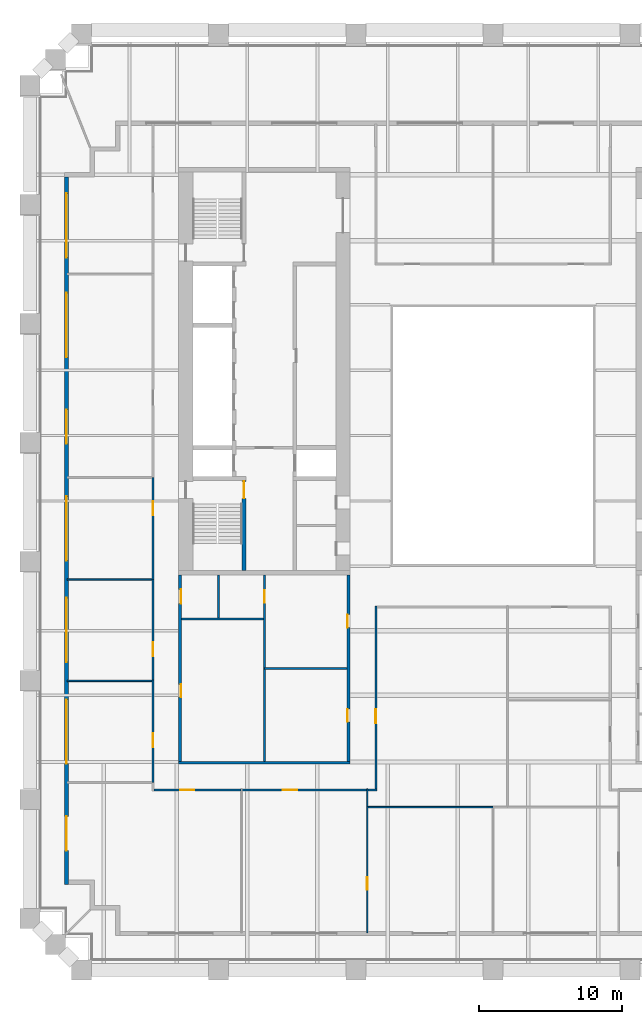
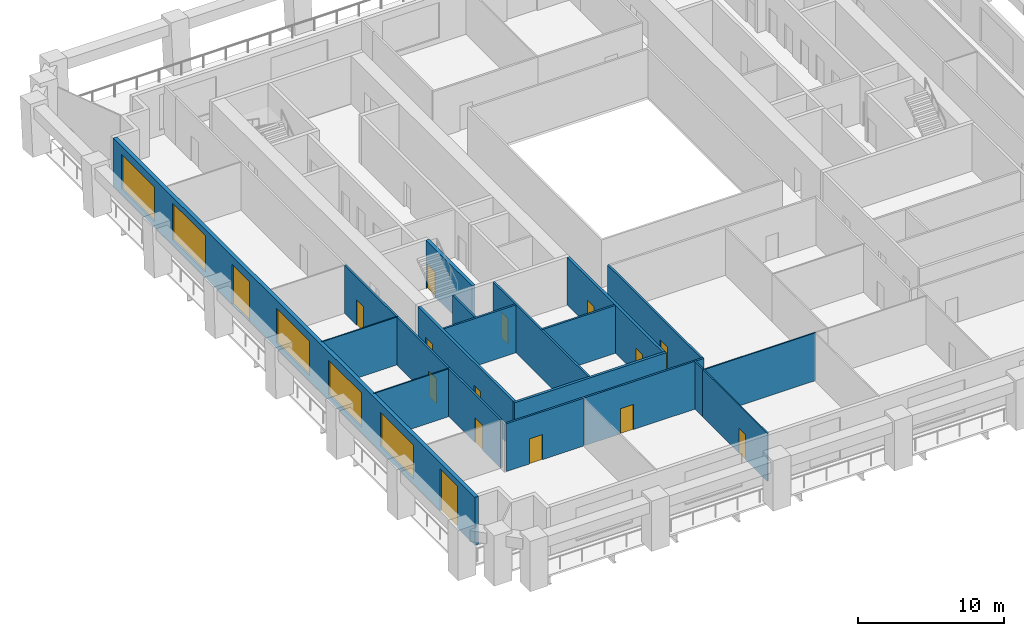
# One storey, part 3 of 10: 21 walls, 15 doors, 5 windows, 20 openings.
"""IFC4 building model written with IfcOpenShell, lengths in metres."""

from ifc_helpers import new_model, si_unit, direction, frame, frame_2d, origin, place, context, subcontext, project, spatial, rectangle, extrude, material, layer, layer_set, type_object, element, fill, save


model = new_model("IFC4")

# Units and contexts
model_context = context("Model", 3, precision=1e-05, world=origin(), true_north=direction((0.0, 1.0)))
body_context = subcontext(model_context, "Body", "Model", "MODEL_VIEW")
ifc_project = project(units=[si_unit("LENGTHUNIT", "METRE"), si_unit("AREAUNIT", "SQUARE_METRE"), si_unit("VOLUMEUNIT", "CUBIC_METRE"), si_unit("PLANEANGLEUNIT", "RADIAN"), si_unit("MASSUNIT", "GRAM", prefix="KILO")], contexts=[model_context])

# Site, building, storey
site_placement = place(None, origin())
site = spatial("IfcSite", under=ifc_project, at=site_placement, CompositionType="ELEMENT")
building_placement = place(site_placement, origin())
building = spatial("IfcBuilding", under=site, at=building_placement, Name="Ogive Exchange Tower", CompositionType="ELEMENT")
storey_placement = place(building_placement, frame((0.0, 0.0, 73.199951171875)))
storey = spatial("IfcBuildingStorey", under=building, at=storey_placement, Name="L15", CompositionType="ELEMENT", Elevation=73.199951171875)

# Wall, opening, door
ifc_material_1 = material(Name="Gypsum board partition")
ifc_layer_1 = layer(ifc_material_1, 0.14990234375)
ifc_layer_set_1 = layer_set([ifc_layer_1], Name="Core room partition 150 gypsum")
wall_type_1 = type_object("IfcWallType", Name="Core room partition 150 gypsum", PredefinedType="PARTITIONING", material=ifc_layer_set_1)
wall_1_placement = place(storey_placement, frame((-16.0, -15.800048828125, 0.0), z_axis=(0.0, 0.0, 1.0), x_axis=(0.0, 1.0, 0.0)))
wall_1 = element("IfcWall", 1, at=wall_1_placement, inside=storey, type_object=wall_type_1, Name="W annex S column wall", PredefinedType="PARTITIONING", context=body_context, shape_type="SweptSolid", body=[
    extrude(rectangle(XDim=13.050048828125, YDim=0.14990234375, at=frame_2d((6.52490234375, 0.0))), origin(), (0.0, 0.0, 1.0), 4.0),
])
opening_1_placement = place(wall_1_placement, frame((11.08740234375, 0.0, 0.0)))
opening_1 = element("IfcOpeningElement", 2, at=opening_1_placement, cuts=wall_1, Name="Opening L15-C20", PredefinedType="OPENING", context=body_context, shape_type="SweptSolid", body=[
    extrude(rectangle(XDim=0.89990234375, YDim=2.10009765625, at=frame_2d((0.449951171875, 1.050048828125))), frame((0.0, 0.0849609375, 0.0), z_axis=(0.0, -1.0, 0.0), x_axis=(1.0, 0.0, 0.0)), (0.0, 0.0, 1.0), 0.169921875),
])
ifc_material_2 = material(Name="Steel fire door", Category="steel")
door_type_1 = type_object("IfcDoorType", Name="Riser door FD60 900 x 2100", OperationType="NOTDEFINED", PredefinedType="DOOR", material=ifc_material_2)
door_1_placement = place(opening_1_placement, frame((0.89990234375, 0.0, 0.0), z_axis=(0.0, 0.0, 1.0), x_axis=(-1.0, 0.0, 0.0)))
door_1 = element("IfcDoor", 3, at=door_1_placement, inside=storey, type_object=door_type_1, Name="Riser door", ObjectType="CD2", OperationType="SINGLE_SWING_RIGHT", OverallHeight=2.10009765625, OverallWidth=0.89990234375, PredefinedType="DOOR", context=body_context, shape_type="SweptSolid", body=[
    extrude(rectangle(XDim=0.89990234375, YDim=2.10009765625, at=frame_2d((0.449951171875, 1.050048828125))), frame((0.0, 0.02490234375, 0.0), z_axis=(0.0, -1.0, 0.0), x_axis=(1.0, 0.0, 0.0)), (0.0, 0.0, 1.0), 0.050048828125),
])
fill(opening_1, door_1)

# Walls
wall_2_placement = place(storey_placement, frame((-16.0, -9.300048828125, 0.0), z_axis=(0.0, 0.0, 1.0), x_axis=(1.0, 0.0, 0.0)))
element("IfcWall", 4, at=wall_2_placement, inside=storey, type_object=wall_type_1, Name="W annex S cross wall", PredefinedType="PARTITIONING", context=body_context, shape_type="SweptSolid", body=[
    extrude(rectangle(XDim=5.800048828125, YDim=0.14990234375, at=frame_2d((2.89990234375, 0.0))), origin(), (0.0, 0.0, 1.0), 4.0),
])
wall_3_placement = place(storey_placement, frame((-21.800048828125, -5.85009765625, 0.0), z_axis=(0.0, 0.0, 1.0), x_axis=(1.0, 0.0, 0.0)))
element("IfcWall", 5, at=wall_3_placement, inside=storey, type_object=wall_type_1, Name="W annex S wc strip wall 00", PredefinedType="PARTITIONING", context=body_context, shape_type="SweptSolid", body=[
    extrude(rectangle(XDim=5.72509765625, YDim=0.14990234375, at=frame_2d((2.862548828125, 0.0))), origin(), (0.0, 0.0, 1.0), 4.0),
])
wall_4_placement = place(storey_placement, frame((-19.199951171875, -5.77490234375, 0.0), z_axis=(0.0, 0.0, 1.0), x_axis=(0.0, 1.0, 0.0)))
element("IfcWall", 6, at=wall_4_placement, inside=storey, type_object=wall_type_1, Name="W annex S wc partition 00", PredefinedType="PARTITIONING", context=body_context, shape_type="SweptSolid", body=[
    extrude(rectangle(XDim=3.02490234375, YDim=0.14990234375, at=frame_2d((1.512451171875, 0.0))), origin(), (0.0, 0.0, 1.0), 4.0),
])

# Wall, opening, door
ifc_material_3 = material(Name="Fire partition EI 60 150")
ifc_layer_2 = layer(ifc_material_3, 0.14990234375)
ifc_layer_set_2 = layer_set([ifc_layer_2], Name="Fire partition EI 60 150")
wall_type_2 = type_object("IfcWallType", Name="Fire partition EI 60 150", PredefinedType="PARTITIONING", material=ifc_layer_set_2)
wall_5_placement = place(storey_placement, frame((-23.800048828125, -17.2900390625, 0.0), z_axis=(0.0, 0.0, 1.0), x_axis=(0.0, 1.0, 0.0)))
wall_5 = element("IfcWall", 7, at=wall_5_placement, inside=storey, type_object=wall_type_2, Name="L15-PWL-003", PredefinedType="PARTITIONING", context=body_context, shape_type="SweptSolid", body=[
    extrude(rectangle(XDim=7.169921875, YDim=0.14990234375, at=frame_2d((3.5849609375, 0.0))), origin(), (0.0, 0.0, 1.0), 4.0),
])
opening_2_placement = place(wall_5_placement, frame((2.469970703125, 0.0, 0.0)))
opening_2 = element("IfcOpeningElement", 8, at=opening_2_placement, cuts=wall_5, Name="Opening L15-I17", PredefinedType="OPENING", context=body_context, shape_type="SweptSolid", body=[
    extrude(rectangle(XDim=1.0, YDim=2.10009765625, at=frame_2d((0.5, 1.050048828125))), frame((0.0, 0.0849609375, 0.0), z_axis=(0.0, -1.0, 0.0), x_axis=(1.0, 0.0, 0.0)), (0.0, 0.0, 1.0), 0.169921875),
])
ifc_material_4 = material(Name="Fire door FD 30S 1000 x 2100")
door_type_2 = type_object("IfcDoorType", Name="Fire door FD 30S 1000 x 2100", OperationType="NOTDEFINED", PredefinedType="DOOR", material=ifc_material_4)
door_2_placement = place(opening_2_placement, origin())
door_2 = element("IfcDoor", 9, at=door_2_placement, inside=storey, type_object=door_type_2, Name="L15-IDR-017", ObjectType="DT3", OperationType="SINGLE_SWING_RIGHT", OverallHeight=2.10009765625, OverallWidth=1.0, PredefinedType="DOOR", context=body_context, shape_type="SweptSolid", body=[
    extrude(rectangle(XDim=1.0, YDim=2.10009765625, at=frame_2d((0.5, 1.050048828125))), frame((0.0, 0.02490234375, 0.0), z_axis=(0.0, -1.0, 0.0), x_axis=(1.0, 0.0, 0.0)), (0.0, 0.0, 1.0), 0.050048828125),
])
fill(opening_2, door_2)

wall_6_placement = place(storey_placement, frame((-23.800048828125, -10.1201171875, 0.0), z_axis=(0.0, 0.0, 1.0), x_axis=(0.0, 1.0, 0.0)))
wall_6 = element("IfcWall", 10, at=wall_6_placement, inside=storey, type_object=wall_type_2, Name="L15-PWL-005", PredefinedType="PARTITIONING", context=body_context, shape_type="SweptSolid", body=[
    extrude(rectangle(XDim=7.06005859375, YDim=0.14990234375, at=frame_2d((3.530029296875, 0.0))), origin(), (0.0, 0.0, 1.0), 4.0),
])
opening_3_placement = place(wall_6_placement, frame((1.659912109375, 0.0, 0.0)))
opening_3 = element("IfcOpeningElement", 11, at=opening_3_placement, cuts=wall_6, Name="Opening L15-I15", PredefinedType="OPENING", context=body_context, shape_type="SweptSolid", body=[
    extrude(rectangle(XDim=1.0, YDim=2.10009765625, at=frame_2d((0.5, 1.050048828125))), frame((0.0, 0.0849609375, 0.0), z_axis=(0.0, -1.0, 0.0), x_axis=(1.0, 0.0, 0.0)), (0.0, 0.0, 1.0), 0.169921875),
])
door_3_placement = place(opening_3_placement, origin())
door_3 = element("IfcDoor", 12, at=door_3_placement, inside=storey, type_object=door_type_2, Name="L15-IDR-015", ObjectType="DT3", OperationType="SINGLE_SWING_RIGHT", OverallHeight=2.10009765625, OverallWidth=1.0, PredefinedType="DOOR", context=body_context, shape_type="SweptSolid", body=[
    extrude(rectangle(XDim=1.0, YDim=2.10009765625, at=frame_2d((0.5, 1.050048828125))), frame((0.0, 0.02490234375, 0.0), z_axis=(0.0, -1.0, 0.0), x_axis=(1.0, 0.0, 0.0)), (0.0, 0.0, 1.0), 0.050048828125),
])
fill(opening_3, door_3)

wall_7_placement = place(storey_placement, frame((-23.800048828125, -3.06005859375, 0.0), z_axis=(0.0, 0.0, 1.0), x_axis=(0.0, 1.0, 0.0)))
wall_7 = element("IfcWall", 13, at=wall_7_placement, inside=storey, type_object=wall_type_2, Name="L15-PWL-007", PredefinedType="PARTITIONING", context=body_context, shape_type="SweptSolid", body=[
    extrude(rectangle(XDim=7.1201171875, YDim=0.14990234375, at=frame_2d((3.56005859375, 0.0))), origin(), (0.0, 0.0, 1.0), 4.0),
])
opening_4_placement = place(wall_7_placement, frame((4.469970703125, 0.0, 0.0)))
opening_4 = element("IfcOpeningElement", 14, at=opening_4_placement, cuts=wall_7, Name="Opening L15-I14", PredefinedType="OPENING", context=body_context, shape_type="SweptSolid", body=[
    extrude(rectangle(XDim=1.0, YDim=2.10009765625, at=frame_2d((0.5, 1.050048828125))), frame((0.0, 0.0849609375, 0.0), z_axis=(0.0, -1.0, 0.0), x_axis=(1.0, 0.0, 0.0)), (0.0, 0.0, 1.0), 0.169921875),
])
door_4_placement = place(opening_4_placement, origin())
door_4 = element("IfcDoor", 15, at=door_4_placement, inside=storey, type_object=door_type_2, Name="L15-IDR-014", ObjectType="DT3", OperationType="SINGLE_SWING_LEFT", OverallHeight=2.10009765625, OverallWidth=1.0, PredefinedType="DOOR", context=body_context, shape_type="SweptSolid", body=[
    extrude(rectangle(XDim=1.0, YDim=2.10009765625, at=frame_2d((0.5, 1.050048828125))), frame((0.0, 0.02490234375, 0.0), z_axis=(0.0, -1.0, 0.0), x_axis=(1.0, 0.0, 0.0)), (0.0, 0.0, 1.0), 0.050048828125),
])
fill(opening_4, door_4)

wall_8_placement = place(storey_placement, frame((-17.64990234375, -17.800048828125, 0.0), z_axis=(0.0, 0.0, 1.0), x_axis=(-1.0, 0.0, 0.0)))
wall_8 = element("IfcWall", 16, at=wall_8_placement, inside=storey, type_object=wall_type_2, Name="L15-PWL-014", PredefinedType="PARTITIONING", context=body_context, shape_type="SweptSolid", body=[
    extrude(rectangle(XDim=6.0751953125, YDim=0.14990234375, at=frame_2d((3.03759765625, 0.0))), origin(), (0.0, 0.0, 1.0), 4.0),
])
opening_5_placement = place(wall_8_placement, frame((3.25, 0.0, 0.0)))
opening_5 = element("IfcOpeningElement", 17, at=opening_5_placement, cuts=wall_8, Name="Opening L15-I18", PredefinedType="OPENING", context=body_context, shape_type="SweptSolid", body=[
    extrude(rectangle(XDim=1.0, YDim=2.10009765625, at=frame_2d((0.5, 1.050048828125))), frame((0.0, 0.0849609375, 0.0), z_axis=(0.0, -1.0, 0.0), x_axis=(1.0, 0.0, 0.0)), (0.0, 0.0, 1.0), 0.169921875),
])
door_5_placement = place(opening_5_placement, origin())
door_5 = element("IfcDoor", 18, at=door_5_placement, inside=storey, type_object=door_type_2, Name="L15-IDR-018", ObjectType="DT3", OperationType="SINGLE_SWING_RIGHT", OverallHeight=2.10009765625, OverallWidth=1.0, PredefinedType="DOOR", context=body_context, shape_type="SweptSolid", body=[
    extrude(rectangle(XDim=1.0, YDim=2.10009765625, at=frame_2d((0.5, 1.050048828125))), frame((0.0, 0.02490234375, 0.0), z_axis=(0.0, -1.0, 0.0), x_axis=(1.0, 0.0, 0.0)), (0.0, 0.0, 1.0), 0.050048828125),
])
fill(opening_5, door_5)

wall_9_placement = place(storey_placement, frame((-8.85009765625, -17.800048828125, 0.0), z_axis=(0.0, 0.0, 1.0), x_axis=(-1.0, 0.0, 0.0)))
wall_9 = element("IfcWall", 19, at=wall_9_placement, inside=storey, type_object=wall_type_2, Name="L15-PWL-018", PredefinedType="PARTITIONING", context=body_context, shape_type="SweptSolid", body=[
    extrude(rectangle(XDim=8.699951171875, YDim=0.14990234375, at=frame_2d((4.35009765625, 0.0))), origin(), (0.0, 0.0, 1.0), 4.0),
])
opening_6_placement = place(wall_9_placement, frame((4.85009765625, 0.0, 0.0)))
opening_6 = element("IfcOpeningElement", 20, at=opening_6_placement, cuts=wall_9, Name="Opening L15-I16", PredefinedType="OPENING", context=body_context, shape_type="SweptSolid", body=[
    extrude(rectangle(XDim=1.0, YDim=2.10009765625, at=frame_2d((0.5, 1.050048828125))), frame((0.0, 0.0849609375, 0.0), z_axis=(0.0, -1.0, 0.0), x_axis=(1.0, 0.0, 0.0)), (0.0, 0.0, 1.0), 0.169921875),
])
door_6_placement = place(opening_6_placement, origin())
door_6 = element("IfcDoor", 21, at=door_6_placement, inside=storey, type_object=door_type_2, Name="L15-IDR-016", ObjectType="DT3", OperationType="SINGLE_SWING_LEFT", OverallHeight=2.10009765625, OverallWidth=1.0, PredefinedType="DOOR", context=body_context, shape_type="SweptSolid", body=[
    extrude(rectangle(XDim=1.0, YDim=2.10009765625, at=frame_2d((0.5, 1.050048828125))), frame((0.0, 0.02490234375, 0.0), z_axis=(0.0, -1.0, 0.0), x_axis=(1.0, 0.0, 0.0)), (0.0, 0.0, 1.0), 0.050048828125),
])
fill(opening_6, door_6)

# Wall
wall_10_placement = place(storey_placement, frame((-8.125, -17.800048828125, 0.0), z_axis=(0.0, 0.0, 1.0), x_axis=(-1.0, 0.0, 0.0)))
element("IfcWall", 22, at=wall_10_placement, inside=storey, type_object=wall_type_2, Name="L15-PWL-020", PredefinedType="PARTITIONING", context=body_context, shape_type="SweptSolid", body=[
    extrude(rectangle(XDim=0.625, YDim=0.14990234375, at=frame_2d((0.3125, 0.0))), origin(), (0.0, 0.0, 1.0), 4.0),
])

# Wall, opening, door
wall_11_placement = place(storey_placement, frame((-8.199951171875, -4.925048828125, 0.0), z_axis=(0.0, 0.0, 1.0), x_axis=(0.0, -1.0, 0.0)))
wall_11 = element("IfcWall", 23, at=wall_11_placement, inside=storey, type_object=wall_type_2, Name="L15-PWL-021", PredefinedType="PARTITIONING", context=body_context, shape_type="SweptSolid", body=[
    extrude(rectangle(XDim=12.800048828125, YDim=0.14990234375, at=frame_2d((6.39990234375, 0.0))), origin(), (0.0, 0.0, 1.0), 4.0),
])
opening_7_placement = place(wall_11_placement, frame((7.22509765625, 0.0, 0.0)))
opening_7 = element("IfcOpeningElement", 24, at=opening_7_placement, cuts=wall_11, Name="Opening L15-I09", PredefinedType="OPENING", context=body_context, shape_type="SweptSolid", body=[
    extrude(rectangle(XDim=1.0, YDim=2.10009765625, at=frame_2d((0.5, 1.050048828125))), frame((0.0, 0.0849609375, 0.0), z_axis=(0.0, -1.0, 0.0), x_axis=(1.0, 0.0, 0.0)), (0.0, 0.0, 1.0), 0.169921875),
])
door_7_placement = place(opening_7_placement, origin())
door_7 = element("IfcDoor", 25, at=door_7_placement, inside=storey, type_object=door_type_2, Name="L15-IDR-009", ObjectType="DT3", OperationType="SINGLE_SWING_RIGHT", OverallHeight=2.10009765625, OverallWidth=1.0, PredefinedType="DOOR", context=body_context, shape_type="SweptSolid", body=[
    extrude(rectangle(XDim=1.0, YDim=2.10009765625, at=frame_2d((0.5, 1.050048828125))), frame((0.0, 0.02490234375, 0.0), z_axis=(0.0, -1.0, 0.0), x_axis=(1.0, 0.0, 0.0)), (0.0, 0.0, 1.0), 0.050048828125),
])
fill(opening_7, door_7)

# Wall, openings, doors, windows
ifc_material_5 = material(Name="Precast concrete C40/50", Category="concrete")
ifc_layer_3 = layer(ifc_material_5, 0.300048828125)
ifc_layer_set_3 = layer_set([ifc_layer_3], Name="Limestone-faced wall 300")
wall_type_3 = type_object("IfcWallType", Name="Limestone-faced wall 300", PredefinedType="STANDARD", material=ifc_layer_set_3)
wall_12_placement = place(storey_placement, frame((-29.85009765625, 25.10009765625, 0.0), z_axis=(0.0, 0.0, 1.0), x_axis=(0.0, -1.0, 0.0)))
wall_12 = element("IfcWall", 26, at=wall_12_placement, inside=storey, type_object=wall_type_3, Name="External wall W4", PredefinedType="STANDARD", context=body_context, shape_type="SweptSolid", body=[
    extrude(rectangle(XDim=49.5, YDim=0.300048828125, at=frame_2d((24.75, 0.0))), origin(), (0.0, 0.0, 1.0), 4.0),
])
opening_8_placement = place(wall_12_placement, frame((1.156982421875, 0.0, 0.449951171875)))
opening_8 = element("IfcOpeningElement", 27, at=opening_8_placement, cuts=wall_12, Name="Opening W1D", PredefinedType="OPENING", context=body_context, shape_type="SweptSolid", body=[
    extrude(rectangle(XDim=4.5, YDim=2.875, at=frame_2d((2.25, 1.4375))), frame((0.0, 0.159912109375, 0.0), z_axis=(0.0, -1.0, 0.0), x_axis=(1.0, 0.0, 0.0)), (0.0, 0.0, 1.0), 0.320068359375),
])
opening_9_placement = place(wall_12_placement, frame((8.121337890625, 0.0, 0.449951171875)))
opening_9 = element("IfcOpeningElement", 28, at=opening_9_placement, cuts=wall_12, Name="Opening W1", PredefinedType="OPENING", context=body_context, shape_type="SweptSolid", body=[
    extrude(rectangle(XDim=4.5, YDim=3.050048828125, at=frame_2d((2.25, 1.52490234375))), frame((0.0, 0.159912109375, 0.0), z_axis=(0.0, -1.0, 0.0), x_axis=(1.0, 0.0, 0.0)), (0.0, 0.0, 1.0), 0.320068359375),
])
opening_10_placement = place(wall_12_placement, frame((16.28564453125, 0.0, 0.0)))
opening_10 = element("IfcOpeningElement", 29, at=opening_10_placement, cuts=wall_12, Name="Opening D1C", PredefinedType="OPENING", context=body_context, shape_type="SweptSolid", body=[
    extrude(rectangle(XDim=2.39990234375, YDim=3.324951171875, at=frame_2d((1.199951171875, 1.66259765625))), frame((0.0, 0.159912109375, 0.0), z_axis=(0.0, -1.0, 0.0), x_axis=(1.0, 0.0, 0.0)), (0.0, 0.0, 1.0), 0.320068359375),
])
opening_11_placement = place(wall_12_placement, frame((22.35009765625, 0.0, 0.449951171875)))
opening_11 = element("IfcOpeningElement", 30, at=opening_11_placement, cuts=wall_12, Name="Opening W1D", PredefinedType="OPENING", context=body_context, shape_type="SweptSolid", body=[
    extrude(rectangle(XDim=4.5, YDim=2.875, at=frame_2d((2.25, 1.4375))), frame((0.0, 0.159912109375, 0.0), z_axis=(0.0, -1.0, 0.0), x_axis=(1.0, 0.0, 0.0)), (0.0, 0.0, 1.0), 0.320068359375),
])
opening_12_placement = place(wall_12_placement, frame((29.464111328125, 0.0, 0.449951171875)))
opening_12 = element("IfcOpeningElement", 31, at=opening_12_placement, cuts=wall_12, Name="Opening W1D", PredefinedType="OPENING", context=body_context, shape_type="SweptSolid", body=[
    extrude(rectangle(XDim=4.5, YDim=2.875, at=frame_2d((2.25, 1.4375))), frame((0.0, 0.159912109375, 0.0), z_axis=(0.0, -1.0, 0.0), x_axis=(1.0, 0.0, 0.0)), (0.0, 0.0, 1.0), 0.320068359375),
])
opening_13_placement = place(wall_12_placement, frame((36.57861328125, 0.0, 0.449951171875)))
opening_13 = element("IfcOpeningElement", 32, at=opening_13_placement, cuts=wall_12, Name="Opening W1E", PredefinedType="OPENING", context=body_context, shape_type="SweptSolid", body=[
    extrude(rectangle(XDim=4.5, YDim=2.824951171875, at=frame_2d((2.25, 1.41259765625))), frame((0.0, 0.159912109375, 0.0), z_axis=(0.0, -1.0, 0.0), x_axis=(1.0, 0.0, 0.0)), (0.0, 0.0, 1.0), 0.320068359375),
])
opening_14_placement = place(wall_12_placement, frame((44.742919921875, 0.0, 0.0)))
opening_14 = element("IfcOpeningElement", 33, at=opening_14_placement, cuts=wall_12, Name="Opening D1", PredefinedType="OPENING", context=body_context, shape_type="SweptSolid", body=[
    extrude(rectangle(XDim=2.39990234375, YDim=3.5, at=frame_2d((1.199951171875, 1.75))), frame((0.0, 0.159912109375, 0.0), z_axis=(0.0, -1.0, 0.0), x_axis=(1.0, 0.0, 0.0)), (0.0, 0.0, 1.0), 0.320068359375),
])
ifc_material_6 = material(Name="Clear glass in bronze frame", Category="glass")
door_type_3 = type_object("IfcDoorType", Name="Sliding loggia door 2400 x 3325", OperationType="DOUBLE_DOOR_SLIDING", PredefinedType="DOOR", material=ifc_material_6)
door_8_placement = place(opening_10_placement, origin())
door_8 = element("IfcDoor", 34, at=door_8_placement, inside=storey, type_object=door_type_3, Name="Loggia door W02", OperationType="DOUBLE_DOOR_SLIDING", OverallHeight=3.324951171875, OverallWidth=2.39990234375, PredefinedType="DOOR", context=body_context, shape_type="SweptSolid", body=[
    extrude(rectangle(XDim=2.39990234375, YDim=3.324951171875, at=frame_2d((1.199951171875, 1.66259765625))), frame((0.0, 0.02490234375, 0.0), z_axis=(0.0, -1.0, 0.0), x_axis=(1.0, 0.0, 0.0)), (0.0, 0.0, 1.0), 0.050048828125),
])
fill(opening_10, door_8)
door_type_4 = type_object("IfcDoorType", Name="Sliding loggia door 2400 x 3500", OperationType="DOUBLE_DOOR_SLIDING", PredefinedType="DOOR", material=ifc_material_6)
door_9_placement = place(opening_14_placement, origin())
door_9 = element("IfcDoor", 35, at=door_9_placement, inside=storey, type_object=door_type_4, Name="Loggia door W06", OperationType="DOUBLE_DOOR_SLIDING", OverallHeight=3.5, OverallWidth=2.39990234375, PredefinedType="DOOR", context=body_context, shape_type="SweptSolid", body=[
    extrude(rectangle(XDim=2.39990234375, YDim=3.5, at=frame_2d((1.199951171875, 1.75))), frame((0.0, 0.02490234375, 0.0), z_axis=(0.0, -1.0, 0.0), x_axis=(1.0, 0.0, 0.0)), (0.0, 0.0, 1.0), 0.050048828125),
])
fill(opening_14, door_9)
window_type_1 = type_object("IfcWindowType", Name="Twin lancet window 4500 x 2825", PartitioningType="DOUBLE_PANEL_VERTICAL", PredefinedType="WINDOW", material=ifc_material_6)
window_1_placement = place(opening_13_placement, origin())
window_1 = element("IfcWindow", 36, at=window_1_placement, inside=storey, type_object=window_type_1, Name="Window W05", OverallHeight=2.824951171875, OverallWidth=4.5, PartitioningType="DOUBLE_PANEL_VERTICAL", PredefinedType="WINDOW", context=body_context, shape_type="SweptSolid", body=[
    extrude(rectangle(XDim=4.5, YDim=2.824951171875, at=frame_2d((2.25, 1.41259765625))), frame((0.0, 0.030029296875, 0.0), z_axis=(0.0, -1.0, 0.0), x_axis=(1.0, 0.0, 0.0)), (0.0, 0.0, 1.0), 0.06005859375),
])
fill(opening_13, window_1)
window_type_2 = type_object("IfcWindowType", Name="Twin lancet window 4500 x 2875", PartitioningType="DOUBLE_PANEL_VERTICAL", PredefinedType="WINDOW", material=ifc_material_6)
window_2_placement = place(opening_8_placement, origin())
window_2 = element("IfcWindow", 37, at=window_2_placement, inside=storey, type_object=window_type_2, Name="Window W00", OverallHeight=2.875, OverallWidth=4.5, PartitioningType="DOUBLE_PANEL_VERTICAL", PredefinedType="WINDOW", context=body_context, shape_type="SweptSolid", body=[
    extrude(rectangle(XDim=4.5, YDim=2.875, at=frame_2d((2.25, 1.4375))), frame((0.0, 0.030029296875, 0.0), z_axis=(0.0, -1.0, 0.0), x_axis=(1.0, 0.0, 0.0)), (0.0, 0.0, 1.0), 0.06005859375),
])
fill(opening_8, window_2)
window_3_placement = place(opening_11_placement, origin())
window_3 = element("IfcWindow", 38, at=window_3_placement, inside=storey, type_object=window_type_2, Name="Window W03", OverallHeight=2.875, OverallWidth=4.5, PartitioningType="DOUBLE_PANEL_VERTICAL", PredefinedType="WINDOW", context=body_context, shape_type="SweptSolid", body=[
    extrude(rectangle(XDim=4.5, YDim=2.875, at=frame_2d((2.25, 1.4375))), frame((0.0, 0.030029296875, 0.0), z_axis=(0.0, -1.0, 0.0), x_axis=(1.0, 0.0, 0.0)), (0.0, 0.0, 1.0), 0.06005859375),
])
fill(opening_11, window_3)
window_4_placement = place(opening_12_placement, origin())
window_4 = element("IfcWindow", 39, at=window_4_placement, inside=storey, type_object=window_type_2, Name="Window W04", OverallHeight=2.875, OverallWidth=4.5, PartitioningType="DOUBLE_PANEL_VERTICAL", PredefinedType="WINDOW", context=body_context, shape_type="SweptSolid", body=[
    extrude(rectangle(XDim=4.5, YDim=2.875, at=frame_2d((2.25, 1.4375))), frame((0.0, 0.030029296875, 0.0), z_axis=(0.0, -1.0, 0.0), x_axis=(1.0, 0.0, 0.0)), (0.0, 0.0, 1.0), 0.06005859375),
])
fill(opening_12, window_4)
window_type_3 = type_object("IfcWindowType", Name="Twin lancet window 4500 x 3050", PartitioningType="DOUBLE_PANEL_VERTICAL", PredefinedType="WINDOW", material=ifc_material_6)
window_5_placement = place(opening_9_placement, origin())
window_5 = element("IfcWindow", 40, at=window_5_placement, inside=storey, type_object=window_type_3, Name="Window W01", OverallHeight=3.050048828125, OverallWidth=4.5, PartitioningType="DOUBLE_PANEL_VERTICAL", PredefinedType="WINDOW", context=body_context, shape_type="SweptSolid", body=[
    extrude(rectangle(XDim=4.5, YDim=3.050048828125, at=frame_2d((2.25, 1.52490234375))), frame((0.0, 0.030029296875, 0.0), z_axis=(0.0, -1.0, 0.0), x_axis=(1.0, 0.0, 0.0)), (0.0, 0.0, 1.0), 0.06005859375),
])
fill(opening_9, window_5)

# Walls
ifc_material_7 = material(Name="Partition 100 gypsum")
ifc_layer_4 = layer(ifc_material_7, 0.10009765625)
ifc_layer_set_4 = layer_set([ifc_layer_4], Name="Partition 100 gypsum")
wall_type_4 = type_object("IfcWallType", Name="Partition 100 gypsum", PredefinedType="PARTITIONING", material=ifc_layer_set_4)
for number, where, z_axis, x_axis, name in (
    (41, (-23.875, -10.169921875, 0.0), (0.0, 0.0, 1.0), (-1.0, 0.0, 0.0), "L15-PWL-004"),
    (42, (-23.875, -3.06005859375, 0.0), (0.0, 0.0, 1.0), (-1.0, 0.0, 0.0), "L15-PWL-006"),
):
    element("IfcWall", number, at=place(storey_placement, frame(where, z_axis=z_axis, x_axis=x_axis)), inside=storey, type_object=wall_type_4, Name=name, PredefinedType="PARTITIONING", context=body_context, shape_type="SweptSolid", body=[
        extrude(rectangle(XDim=5.925048828125, YDim=0.10009765625, at=frame_2d((2.96240234375, 0.0))), origin(), (0.0, 0.0, 1.0), 4.0),
    ])

# Wall, opening, door
wall_13_placement = place(storey_placement, frame((-8.800048828125, -27.800048828125, 0.0), z_axis=(0.0, 0.0, 1.0), x_axis=(0.0, 1.0, 0.0)))
wall_13 = element("IfcWall", 43, at=wall_13_placement, inside=storey, type_object=wall_type_4, Name="L15-PWL-015", PredefinedType="PARTITIONING", context=body_context, shape_type="SweptSolid", body=[
    extrude(rectangle(XDim=8.85009765625, YDim=0.10009765625, at=frame_2d((4.425048828125, 0.0))), origin(), (0.0, 0.0, 1.0), 4.0),
])
opening_15_placement = place(wall_13_placement, frame((3.0, 0.0, 0.0)))
opening_15 = element("IfcOpeningElement", 44, at=opening_15_placement, cuts=wall_13, Name="Opening L15-I05", PredefinedType="OPENING", context=body_context, shape_type="SweptSolid", body=[
    extrude(rectangle(XDim=0.89990234375, YDim=2.10009765625, at=frame_2d((0.449951171875, 1.050048828125))), frame((0.0, 0.06005859375, 0.0), z_axis=(0.0, -1.0, 0.0), x_axis=(1.0, 0.0, 0.0)), (0.0, 0.0, 1.0), 0.1201171875),
])
ifc_material_8 = material(Name="Door 900 x 2100")
door_type_5 = type_object("IfcDoorType", Name="Door 900 x 2100", OperationType="NOTDEFINED", PredefinedType="DOOR", material=ifc_material_8)
door_10_placement = place(opening_15_placement, frame((0.89990234375, 0.0, 0.0), z_axis=(0.0, 0.0, 1.0), x_axis=(-1.0, 0.0, 0.0)))
door_10 = element("IfcDoor", 45, at=door_10_placement, inside=storey, type_object=door_type_5, Name="L15-IDR-005", ObjectType="DT1", OperationType="SINGLE_SWING_LEFT", OverallHeight=2.10009765625, OverallWidth=0.89990234375, PredefinedType="DOOR", context=body_context, shape_type="SweptSolid", body=[
    extrude(rectangle(XDim=0.89990234375, YDim=2.10009765625, at=frame_2d((0.449951171875, 1.050048828125))), frame((0.0, 0.02490234375, 0.0), z_axis=(0.0, -1.0, 0.0), x_axis=(1.0, 0.0, 0.0)), (0.0, 0.0, 1.0), 0.050048828125),
])
fill(opening_15, door_10)

# Walls
wall_14_placement = place(storey_placement, frame((-8.800048828125, -18.949951171875, 0.0), z_axis=(0.0, 0.0, 1.0), x_axis=(0.0, 1.0, 0.0)))
element("IfcWall", 46, at=wall_14_placement, inside=storey, type_object=wall_type_4, Name="L15-PWL-016", PredefinedType="PARTITIONING", context=body_context, shape_type="SweptSolid", body=[
    extrude(rectangle(XDim=1.224853515625, YDim=0.10009765625, at=frame_2d((0.6123046875, 0.0))), origin(), (0.0, 0.0, 1.0), 4.0),
])
wall_15_placement = place(storey_placement, frame((-8.75, -19.0, 0.0), z_axis=(0.0, 0.0, 1.0), x_axis=(1.0, 0.0, 0.0)))
element("IfcWall", 47, at=wall_15_placement, inside=storey, type_object=wall_type_4, Name="L15-PWL-017", PredefinedType="PARTITIONING", context=body_context, shape_type="SweptSolid", body=[
    extrude(rectangle(XDim=8.800048828125, YDim=0.10009765625, at=frame_2d((4.39990234375, 0.0))), origin(), (0.0, 0.0, 1.0), 4.0),
])

# Wall, openings, doors
ifc_material_9 = material(Name="Concrete C70/85", Category="concrete")
ifc_layer_5 = layer(ifc_material_9, 0.199951171875)
ifc_layer_set_5 = layer_set([ifc_layer_5], Name="RC core wall 200 C70/85")
wall_type_5 = type_object("IfcWallType", Name="RC core wall 200 C70/85", PredefinedType="SHEAR", material=ifc_layer_set_5)
wall_16_placement = place(storey_placement, frame((-21.89990234375, -15.800048828125, 0.0), z_axis=(0.0, 0.0, 1.0), x_axis=(0.0, 1.0, 0.0)))
wall_16 = element("IfcWall", 48, at=wall_16_placement, inside=storey, type_object=wall_type_5, Name="W annex S outer wall", PredefinedType="SHEAR", context=body_context, shape_type="SweptSolid", body=[
    extrude(rectangle(XDim=13.050048828125, YDim=0.199951171875, at=frame_2d((6.52490234375, 0.0))), origin(), (0.0, 0.0, 1.0), 4.0),
])
opening_16_placement = place(wall_16_placement, frame((4.487548828125, 0.0, 0.0)))
opening_16 = element("IfcOpeningElement", 49, at=opening_16_placement, cuts=wall_16, Name="Opening L15-C18", PredefinedType="OPENING", context=body_context, shape_type="SweptSolid", body=[
    extrude(rectangle(XDim=0.89990234375, YDim=2.10009765625, at=frame_2d((0.449951171875, 1.050048828125))), frame((0.0, 0.10986328125, 0.0), z_axis=(0.0, -1.0, 0.0), x_axis=(1.0, 0.0, 0.0)), (0.0, 0.0, 1.0), 0.219970703125),
])
opening_17_placement = place(wall_16_placement, frame((11.03759765625, 0.0, 0.0)))
opening_17 = element("IfcOpeningElement", 50, at=opening_17_placement, cuts=wall_16, Name="Opening L15-C19", PredefinedType="OPENING", context=body_context, shape_type="SweptSolid", body=[
    extrude(rectangle(XDim=1.0, YDim=2.10009765625, at=frame_2d((0.5, 1.050048828125))), frame((0.0, 0.10986328125, 0.0), z_axis=(0.0, -1.0, 0.0), x_axis=(1.0, 0.0, 0.0)), (0.0, 0.0, 1.0), 0.219970703125),
])
ifc_material_10 = material(Name="Timber fire door", Category="wood")
door_type_6 = type_object("IfcDoorType", Name="Accessible WC door FD30S 1000 x 2100", OperationType="NOTDEFINED", PredefinedType="DOOR", material=ifc_material_10)
door_11_placement = place(opening_17_placement, frame((1.0, -0.14990234375, 0.0), z_axis=(0.0, 0.0, 1.0), x_axis=(-1.0, 0.0, 0.0)))
door_11 = element("IfcDoor", 51, at=door_11_placement, inside=storey, type_object=door_type_6, Name="Accessible WC door", ObjectType="CD7", OperationType="SINGLE_SWING_RIGHT", OverallHeight=2.10009765625, OverallWidth=1.0, PredefinedType="DOOR", context=body_context, shape_type="SweptSolid", body=[
    extrude(rectangle(XDim=1.0, YDim=2.10009765625, at=frame_2d((0.5, 1.050048828125))), frame((0.0, -0.0498046875, 0.0), z_axis=(0.0, -1.0, 0.0), x_axis=(1.0, 0.0, 0.0)), (0.0, 0.0, 1.0), 0.050048828125),
])
fill(opening_17, door_11)
door_12_placement = place(opening_16_placement, frame((0.89990234375, -0.14990234375, 0.0), z_axis=(0.0, 0.0, 1.0), x_axis=(-1.0, 0.0, 0.0)))
door_12 = element("IfcDoor", 52, at=door_12_placement, inside=storey, type_object=door_type_1, Name="Riser door", ObjectType="CD2", OperationType="SINGLE_SWING_RIGHT", OverallHeight=2.10009765625, OverallWidth=0.89990234375, PredefinedType="DOOR", context=body_context, shape_type="SweptSolid", body=[
    extrude(rectangle(XDim=0.89990234375, YDim=2.10009765625, at=frame_2d((0.449951171875, 1.050048828125))), frame((0.0, -0.0498046875, 0.0), z_axis=(0.0, -1.0, 0.0), x_axis=(1.0, 0.0, 0.0)), (0.0, 0.0, 1.0), 0.050048828125),
])
fill(opening_16, door_12)

wall_17_placement = place(storey_placement, frame((-10.10009765625, -15.800048828125, 0.0), z_axis=(0.0, 0.0, 1.0), x_axis=(0.0, 1.0, 0.0)))
wall_17 = element("IfcWall", 53, at=wall_17_placement, inside=storey, type_object=wall_type_5, Name="W annex S inner wall", PredefinedType="SHEAR", context=body_context, shape_type="SweptSolid", body=[
    extrude(rectangle(XDim=13.050048828125, YDim=0.199951171875, at=frame_2d((6.52490234375, 0.0))), origin(), (0.0, 0.0, 1.0), 4.0),
])
opening_18_placement = place(wall_17_placement, frame((2.762451171875, 0.0, 0.0)))
opening_18 = element("IfcOpeningElement", 54, at=opening_18_placement, cuts=wall_17, Name="Opening L15-C21", PredefinedType="OPENING", context=body_context, shape_type="SweptSolid", body=[
    extrude(rectangle(XDim=0.89990234375, YDim=2.10009765625, at=frame_2d((0.449951171875, 1.050048828125))), frame((0.0, 0.10986328125, 0.0), z_axis=(0.0, -1.0, 0.0), x_axis=(1.0, 0.0, 0.0)), (0.0, 0.0, 1.0), 0.219970703125),
])
opening_19_placement = place(wall_17_placement, frame((9.362548828125, 0.0, 0.0)))
opening_19 = element("IfcOpeningElement", 55, at=opening_19_placement, cuts=wall_17, Name="Opening L15-C22", PredefinedType="OPENING", context=body_context, shape_type="SweptSolid", body=[
    extrude(rectangle(XDim=0.89990234375, YDim=2.10009765625, at=frame_2d((0.449951171875, 1.050048828125))), frame((0.0, 0.10986328125, 0.0), z_axis=(0.0, -1.0, 0.0), x_axis=(1.0, 0.0, 0.0)), (0.0, 0.0, 1.0), 0.219970703125),
])
door_type_7 = type_object("IfcDoorType", Name="Core room door FD30S 900 x 2100", OperationType="NOTDEFINED", PredefinedType="DOOR", material=ifc_material_10)
door_13_placement = place(opening_18_placement, origin())
door_13 = element("IfcDoor", 56, at=door_13_placement, inside=storey, type_object=door_type_7, Name="Core room door", ObjectType="CD6", OperationType="SINGLE_SWING_RIGHT", OverallHeight=2.10009765625, OverallWidth=0.89990234375, PredefinedType="DOOR", context=body_context, shape_type="SweptSolid", body=[
    extrude(rectangle(XDim=0.89990234375, YDim=2.10009765625, at=frame_2d((0.449951171875, 1.050048828125))), frame((0.0, 0.10009765625, 0.0), z_axis=(0.0, -1.0, 0.0), x_axis=(1.0, 0.0, 0.0)), (0.0, 0.0, 1.0), 0.050048828125),
])
fill(opening_18, door_13)
door_14_placement = place(opening_19_placement, origin())
door_14 = element("IfcDoor", 57, at=door_14_placement, inside=storey, type_object=door_type_1, Name="Riser door", ObjectType="CD2", OperationType="SINGLE_SWING_RIGHT", OverallHeight=2.10009765625, OverallWidth=0.89990234375, PredefinedType="DOOR", context=body_context, shape_type="SweptSolid", body=[
    extrude(rectangle(XDim=0.89990234375, YDim=2.10009765625, at=frame_2d((0.449951171875, 1.050048828125))), frame((0.0, 0.10009765625, 0.0), z_axis=(0.0, -1.0, 0.0), x_axis=(1.0, 0.0, 0.0)), (0.0, 0.0, 1.0), 0.050048828125),
])
fill(opening_19, door_14)

# Wall
wall_18_placement = place(storey_placement, frame((-22.0, -15.89990234375, 0.0), z_axis=(0.0, 0.0, 1.0), x_axis=(1.0, 0.0, 0.0)))
element("IfcWall", 58, at=wall_18_placement, inside=storey, type_object=wall_type_5, Name="W annex S end wall", PredefinedType="SHEAR", context=body_context, shape_type="SweptSolid", body=[
    extrude(rectangle(XDim=12.0, YDim=0.199951171875, at=frame_2d((6.0, 0.0))), origin(), (0.0, 0.0, 1.0), 4.0),
])

# Wall, opening, door
ifc_layer_6 = layer(ifc_material_9, 0.25)
ifc_layer_set_6 = layer_set([ifc_layer_6], Name="RC core wall 250 C70/85")
wall_type_6 = type_object("IfcWallType", Name="RC core wall 250 C70/85", PredefinedType="SHEAR", material=ifc_layer_set_6)
wall_19_placement = place(storey_placement, frame((-17.425048828125, -2.449951171875, 0.0), z_axis=(0.0, 0.0, 1.0), x_axis=(0.0, 1.0, 0.0)))
wall_19 = element("IfcWall", 59, at=wall_19_placement, inside=storey, type_object=wall_type_6, Name="W stair S front wall", PredefinedType="SHEAR", context=body_context, shape_type="SweptSolid", body=[
    extrude(rectangle(XDim=6.300048828125, YDim=0.25, at=frame_2d((3.14990234375, 0.0))), origin(), (0.0, 0.0, 1.0), 4.0),
])
opening_20_placement = place(wall_19_placement, frame((5.050048828125, 0.0, 0.0)))
opening_20 = element("IfcOpeningElement", 60, at=opening_20_placement, cuts=wall_19, Name="Opening L15-C12", PredefinedType="OPENING", context=body_context, shape_type="SweptSolid", body=[
    extrude(rectangle(XDim=1.199951171875, YDim=2.10009765625, at=frame_2d((0.60009765625, 1.050048828125))), frame((0.0, 0.135009765625, 0.0), z_axis=(0.0, -1.0, 0.0), x_axis=(1.0, 0.0, 0.0)), (0.0, 0.0, 1.0), 0.27001953125),
])
door_type_8 = type_object("IfcDoorType", Name="Stair door FD90 1200 x 2100", OperationType="NOTDEFINED", PredefinedType="DOOR", material=ifc_material_2)
door_15_placement = place(opening_20_placement, origin())
door_15 = element("IfcDoor", 61, at=door_15_placement, inside=storey, type_object=door_type_8, Name="Stair door", ObjectType="CD5", OperationType="SINGLE_SWING_LEFT", OverallHeight=2.10009765625, OverallWidth=1.199951171875, PredefinedType="DOOR", context=body_context, shape_type="SweptSolid", body=[
    extrude(rectangle(XDim=1.199951171875, YDim=2.10009765625, at=frame_2d((0.60009765625, 1.050048828125))), frame((0.0, 0.02490234375, 0.0), z_axis=(0.0, -1.0, 0.0), x_axis=(1.0, 0.0, 0.0)), (0.0, 0.0, 1.0), 0.050048828125),
])
fill(opening_20, door_15)

save(model, "model.ifc")
